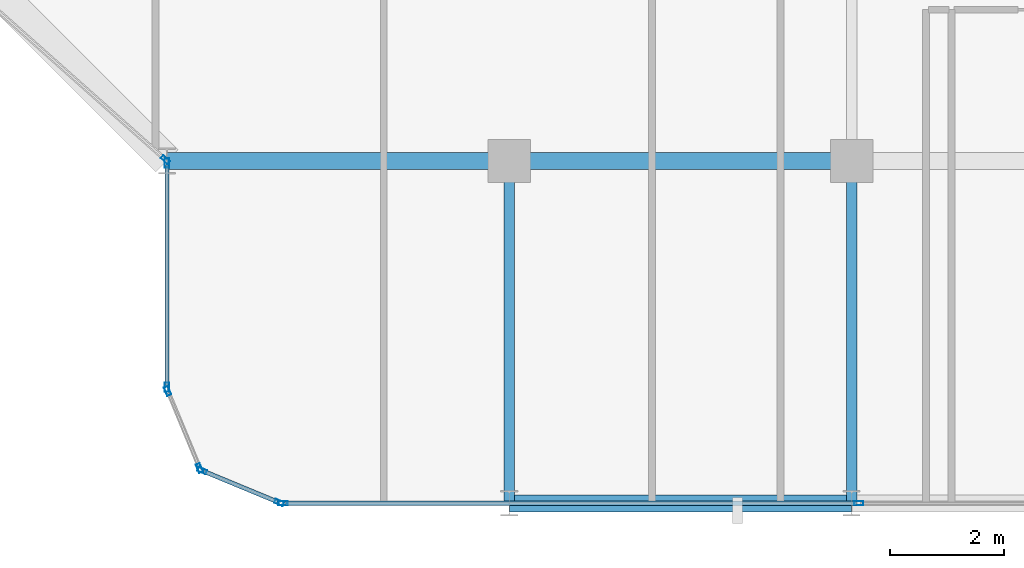
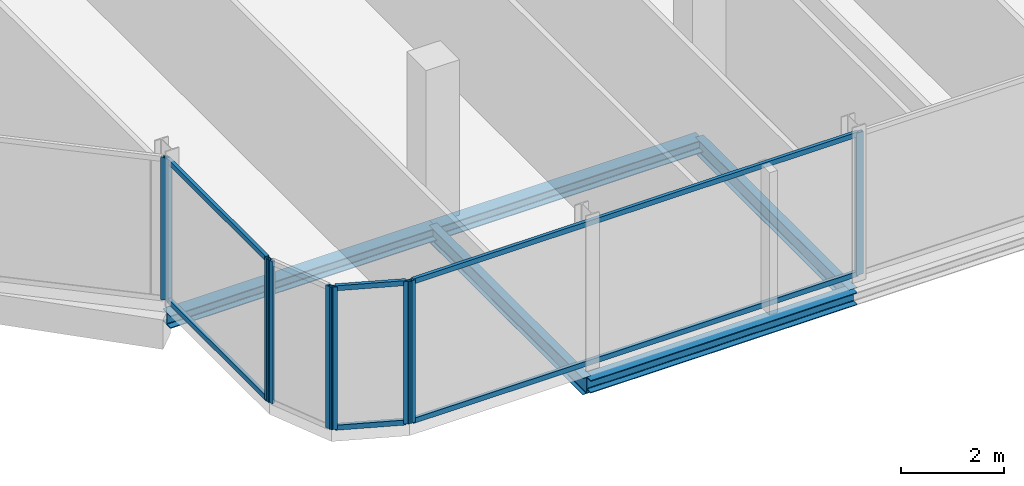
# One storey, part 6 of 29: 15 members, 5 beams, 5 elements without a shape of their own.
"""IFC4 building model written with IfcOpenShell, lengths in metres."""

import ifcopenshell
import ifcopenshell.guid

model = None  # the IFC model being written
_history = None  # IfcOwnerHistory: only IFC2X3 demands one
_inside = {}  # id of a spatial element -> (the spatial element, [elements in it])
_under = {}  # id of a project, library or spatial element -> (it, [spatial elements below it])
_declared = {}  # id of a project -> (the project, [libraries it declares])
_typed = {}  # id of a type object -> (the type object, [elements of that type])
_made_of = {}  # id of a material, layer set ... -> (it, [elements and type objects made of it])


def new_model(schema):
    """Start an empty IFC model of exactly this schema.

    Asked for "IFC4X3", IfcOpenShell would pick the latest addendum, in which some entities
    have other attributes; the version numbers below select the first issue.
    IFC2X3 requires an IfcOwnerHistory on every rooted entity: one is made here for all.
    """
    global model, _history
    if schema == "IFC4X3":
        model = ifcopenshell.file(schema_version=(4, 3, 0, 0))
    else:
        model = ifcopenshell.file(schema=schema)
    _inside.clear()
    _under.clear()
    _declared.clear()
    _typed.clear()
    _made_of.clear()
    _history = None
    if model.schema == "IFC2X3":
        org = make("IfcOrganization", Name="unknown")
        user = make(
            "IfcPersonAndOrganization",
            ThePerson=make("IfcPerson", FamilyName="unknown"),
            TheOrganization=org,
        )
        app = make(
            "IfcApplication",
            ApplicationDeveloper=org,
            Version="unknown",
            ApplicationFullName="unknown",
            ApplicationIdentifier="unknown",
        )
        _history = make(
            "IfcOwnerHistory",
            OwningUser=user,
            OwningApplication=app,
            ChangeAction="ADDED",
            CreationDate=0,
        )
    return model


def make(cls, **values):
    """One entity of the class cls with the attributes given. An attribute that is None is left unset."""
    return model.create_entity(
        cls, **{name: value for name, value in values.items() if value is not None}
    )


def rooted(cls, **values):
    """An entity with a GlobalId (a new one), such as an element, a storey or a relation."""
    return make(cls, GlobalId=ifcopenshell.guid.new(), OwnerHistory=_history, **values)


def si_unit(unit_type, name, prefix=None):
    """IfcSIUnit, for example si_unit("LENGTHUNIT", "METRE", prefix="MILLI")."""
    return make("IfcSIUnit", UnitType=unit_type, Prefix=prefix, Name=name)


def assignment(units):
    """IfcUnitAssignment: the units of a project."""
    return None if units is None else make("IfcUnitAssignment", Units=units)


def point(xyz):
    """IfcCartesianPoint."""
    return None if xyz is None else make("IfcCartesianPoint", Coordinates=xyz)


def direction(xyz):
    """IfcDirection."""
    return None if xyz is None else make("IfcDirection", DirectionRatios=xyz)


def frame(location, z_axis=None, x_axis=None):
    """IfcAxis2Placement3D, a coordinate frame: its origin and axes. An axis left out is left unset."""
    return make(
        "IfcAxis2Placement3D",
        Location=point(location),
        Axis=direction(z_axis),
        RefDirection=direction(x_axis),
    )


def frame_2d(location, x_axis=None):
    """IfcAxis2Placement2D, a coordinate frame in the plane: its origin and x axis."""
    return make(
        "IfcAxis2Placement2D", Location=point(location), RefDirection=direction(x_axis)
    )


def origin():
    """The frame at (0, 0, 0) with its axes left unset."""
    return frame((0.0, 0.0, 0.0))


def origin_2d():
    """The frame at (0, 0) in the plane with its x axis left unset."""
    return frame_2d((0.0, 0.0))


def place(relative_to, where):
    """IfcLocalPlacement: puts the frame where relative to a parent placement (None: the world)."""
    return make(
        "IfcLocalPlacement", PlacementRelTo=relative_to, RelativePlacement=where
    )


def context(
    kind, dimensions, precision=None, world=None, true_north=None, identifier=None
):
    """IfcGeometricRepresentationContext, for example the 3D "Model" context."""
    return make(
        "IfcGeometricRepresentationContext",
        ContextIdentifier=identifier,
        ContextType=kind,
        CoordinateSpaceDimension=dimensions,
        Precision=precision,
        WorldCoordinateSystem=world,
        TrueNorth=true_north,
    )


def subcontext(parent, identifier, kind, view, scale=None):
    """IfcGeometricRepresentationSubContext, for example "Body" below "Model"."""
    return make(
        "IfcGeometricRepresentationSubContext",
        ContextIdentifier=identifier,
        ContextType=kind,
        ParentContext=parent,
        TargetScale=scale,
        TargetView=view,
    )


def project(units=None, contexts=None):
    """IfcProject with its units and contexts."""
    return rooted(
        "IfcProject",
        Name="project",
        RepresentationContexts=contexts,
        UnitsInContext=assignment(units),
    )


def spatial(cls, under=None, at=None, **own):
    """A site, building, storey or space (cls), placed at a placement, below another one or the project."""
    s = rooted(cls, ObjectPlacement=at, **own)
    if under is not None:
        _under.setdefault(under.id(), (under, []))[1].append(s)
    return s


def profile(cls, at=None, kind="AREA", **sizes):
    """A parametric profile (cls). Its sizes go by their IFC names, for example OverallWidth=200.0."""
    return make(cls, ProfileType=kind, Position=at, **sizes)


def hollow_rectangle(**sizes):
    """IfcRectangleHollowProfileDef."""
    return profile("IfcRectangleHollowProfileDef", **sizes)


def i_section(**sizes):
    """IfcIShapeProfileDef."""
    return profile("IfcIShapeProfileDef", **sizes)


def extrude(swept, where, along, depth):
    """IfcExtrudedAreaSolid: the profile swept, set in the frame where, extruded along a direction by depth."""
    return make(
        "IfcExtrudedAreaSolid",
        SweptArea=swept,
        Position=where,
        ExtrudedDirection=direction(along),
        Depth=depth,
    )


def shape(context_of_items, identifier, shape_type, items):
    """IfcShapeRepresentation: the items that make up one representation, for example the "Body"."""
    return make(
        "IfcShapeRepresentation",
        ContextOfItems=context_of_items,
        RepresentationIdentifier=identifier,
        RepresentationType=shape_type,
        Items=items,
    )


def material(Name=None, Category=None):
    """IfcMaterial."""
    return make("IfcMaterial", Name=Name, Category=Category)


def layer(
    of_material, thickness, ventilated=None, Name=None, Category=None, Priority=None
):
    """IfcMaterialLayer: one layer of a wall or slab, of a material (None: an air gap)."""
    return make(
        "IfcMaterialLayer",
        Material=of_material,
        LayerThickness=thickness,
        IsVentilated=ventilated,
        Name=Name,
        Category=Category,
        Priority=Priority,
    )


def layer_set(layers, Name=None):
    """IfcMaterialLayerSet."""
    return make("IfcMaterialLayerSet", MaterialLayers=layers, LayerSetName=Name)


def material_profile(
    of_material, cross_section, Name=None, Category=None, Priority=None
):
    """IfcMaterialProfile: a cross section and its material."""
    return make(
        "IfcMaterialProfile",
        Name=Name,
        Material=of_material,
        Profile=cross_section,
        Priority=Priority,
        Category=Category,
    )


def profile_set(profiles, Name=None, composite=None):
    """IfcMaterialProfileSet."""
    return make(
        "IfcMaterialProfileSet",
        Name=Name,
        MaterialProfiles=profiles,
        CompositeProfile=composite,
    )


def made_of(thing, what):
    """Note that an element or type object is made of a material, layer set ...; save() writes the relation."""
    if what is not None:
        _made_of.setdefault(what.id(), (what, []))[1].append(thing)
    return thing


def type_object(cls, material=None, **own):
    """A type object (cls), such as IfcWallType, which elements share."""
    return made_of(rooted(cls, **own), material)


def element(
    cls,
    number,
    at=None,
    inside=None,
    cuts=None,
    type_object=None,
    material=None,
    context=None,
    identifier="Body",
    shape_type=None,
    held_by="IfcProductDefinitionShape",
    body=None,
    shapes=None,
    **own,
):
    """One element of the class cls, such as IfcWall. Its Tag is "e" and its number.

    at: its placement. inside: the storey or other place that contains it. cuts: it is an
    opening in that element (IfcRelVoidsElement). A single representation is given by context,
    identifier, shape_type and body (its items); several are given by shapes. held_by: the class
    of the entity that holds the representations. save() writes the other relations.
    """
    e = rooted(cls, Tag="e%d" % number, ObjectPlacement=at, **own)
    if body is not None:
        shapes = [shape(context, identifier, shape_type, body)]
    if shapes is not None:
        e.Representation = make(held_by, Representations=shapes)
    if inside is not None:
        _inside.setdefault(inside.id(), (inside, []))[1].append(e)
    if cuts is not None:
        rooted(
            "IfcRelVoidsElement", RelatingBuildingElement=cuts, RelatedOpeningElement=e
        )
    if type_object is not None:
        _typed.setdefault(type_object.id(), (type_object, []))[1].append(e)
    return made_of(e, material)


def aggregate(whole, parts):
    """IfcRelAggregates: a whole, such as a stair, and the parts it consists of."""
    return rooted("IfcRelAggregates", RelatingObject=whole, RelatedObjects=parts)


def save(model, path):
    """Write the relations noted so far, then the file.

    IfcRelAggregates (storeys below a building ...), IfcRelContainedInSpatialStructure (elements
    in a storey), IfcRelDefinesByType, IfcRelAssociatesMaterial and IfcRelDeclares: one each for
    every whole, place, type object, material and project.
    """
    for whole, parts in _under.values():
        aggregate(whole, parts)
    for where, things in _inside.values():
        rooted(
            "IfcRelContainedInSpatialStructure",
            RelatedElements=things,
            RelatingStructure=where,
        )
    for kind, things in _typed.values():
        rooted("IfcRelDefinesByType", RelatedObjects=things, RelatingType=kind)
    for what, things in _made_of.values():
        rooted("IfcRelAssociatesMaterial", RelatedObjects=things, RelatingMaterial=what)
    for by, libraries in _declared.values():
        rooted("IfcRelDeclares", RelatingContext=by, RelatedDefinitions=libraries)
    model.write(path)


model = new_model("IFC4")

# Units and contexts
model_context = context("Model", 3, precision=1e-05, world=origin(), true_north=direction((0.0, 1.0)))
body_context = subcontext(model_context, "Body", "Model", "MODEL_VIEW")
ifc_project = project(units=[si_unit("LENGTHUNIT", "METRE"), si_unit("AREAUNIT", "SQUARE_METRE"), si_unit("VOLUMEUNIT", "CUBIC_METRE"), si_unit("PLANEANGLEUNIT", "RADIAN"), si_unit("MASSUNIT", "GRAM", prefix="KILO")], contexts=[model_context])

# Site, building, storey
site_placement = place(None, origin())
site = spatial("IfcSite", under=ifc_project, at=site_placement, CompositionType="ELEMENT")
building_placement = place(site_placement, origin())
building = spatial("IfcBuilding", under=site, at=building_placement, Name="Keshet Zoharim Tower", CompositionType="ELEMENT")
storey_placement = place(building_placement, frame((0.0, 0.0, 210.60009765625)))
storey = spatial("IfcBuildingStorey", under=building, at=storey_placement, Name="L52", CompositionType="ELEMENT", Elevation=210.60009765625)

# Beams
ifc_material_1 = material(Name="Steel S355", Category="steel")
ifc_material_profile_1 = material_profile(ifc_material_1, i_section(OverallWidth=0.300048828125, OverallDepth=0.300048828125, WebThickness=0.010986328125, FlangeThickness=0.01904296875, FilletRadius=0.027099609375, at=origin_2d()), Name="HEB300")
ifc_profile_set_1 = profile_set([ifc_material_profile_1], Name="Steel S355")
beam_type_1 = type_object("IfcBeamType", Name="BM-PRI-HB300", PredefinedType="BEAM", material=ifc_profile_set_1)
for number, where, z_axis, x_axis, name in (
    (1, (27.0, 0.699951171875, -0.460205078125), (1.0, 0.0, 0.0), (0.0, 1.0, 0.0), "L52 Primary Girder X-001"),
    (2, (21.0, 6.699951171875, -0.460205078125), (1.0, 0.0, 0.0), (0.0, 1.0, 0.0), "L52 Primary Girder X-005"),
    (3, (27.0, 6.699951171875, -0.460205078125), (1.0, 0.0, 0.0), (0.0, 1.0, 0.0), "L52 Primary Girder X-006"),
):
    element("IfcBeam", number, at=place(storey_placement, frame(where, z_axis=z_axis, x_axis=x_axis)), inside=storey, type_object=beam_type_1, Name=name, PredefinedType="BEAM", context=body_context, shape_type="SweptSolid", body=[
        extrude(i_section(OverallWidth=0.300048828125, OverallDepth=0.300048828125, WebThickness=0.010986328125, FlangeThickness=0.01904296875, FilletRadius=0.027099609375, at=origin_2d()), origin(), (0.0, 0.0, 1.0), 6.0),
    ])
ifc_material_profile_2 = material_profile(ifc_material_1, i_section(OverallWidth=0.179931640625, OverallDepth=0.39990234375, WebThickness=0.008544921875, FlangeThickness=0.013427734375, FilletRadius=0.02099609375, at=origin_2d()), Name="IPE400")
ifc_profile_set_2 = profile_set([ifc_material_profile_2], Name="Steel S355")
beam_type_2 = type_object("IfcBeamType", Name="BM-PRI-IP400", PredefinedType="BEAM", material=ifc_profile_set_2)
for number, where, z_axis, x_axis, name in (
    (4, (27.0, 0.699951171875, -0.510009765625), (0.0, 1.0, 0.0), (-1.0, 0.0, 0.0), "L52 Primary Girder Y-004"),
    (5, (33.0, 0.699951171875, -0.510009765625), (0.0, 1.0, 0.0), (-1.0, 0.0, 0.0), "L52 Primary Girder Y-005"),
):
    element("IfcBeam", number, at=place(storey_placement, frame(where, z_axis=z_axis, x_axis=x_axis)), inside=storey, type_object=beam_type_2, Name=name, PredefinedType="BEAM", context=body_context, shape_type="SweptSolid", body=[
        extrude(i_section(OverallWidth=0.179931640625, OverallDepth=0.39990234375, WebThickness=0.008544921875, FlangeThickness=0.013427734375, FilletRadius=0.02099609375, at=origin_2d()), origin(), (0.0, 0.0, 1.0), 6.0),
    ])

# Curtain wall, members
ifc_material_2 = material(Name="Aluminium 6063-T6", Category="aluminium")
ifc_layer = layer(ifc_material_2, 0.139892578125)
ifc_layer_set = layer_set([ifc_layer], Name="Aluminium 6063-T6")
curtain_wall_type = type_object("IfcCurtainWallType", Name="CW-SYS-05", PredefinedType="NOTDEFINED", material=ifc_layer_set)
curtain_wall_1_placement = place(storey_placement, origin())
curtain_wall_1 = element("IfcCurtainWall", 6, at=curtain_wall_1_placement, inside=storey, type_object=curtain_wall_type, Name="L52 Unitised Curtain Wall 06 Part 3", PredefinedType="NOTDEFINED")
ifc_material_profile_3 = material_profile(ifc_material_2, hollow_rectangle(XDim=0.074951171875, YDim=0.159912109375, WallThickness=0.00390625, at=origin_2d()), Name="MUL-75x160")
ifc_profile_set_3 = profile_set([ifc_material_profile_3], Name="Aluminium 6063-T6")
member_type_1 = type_object("IfcMemberType", Name="CWM-M15", PredefinedType="MULLION", material=ifc_profile_set_3)
member_1_placement = place(storey_placement, frame((33.1259765625, 0.699951171875, 0.0), z_axis=(0.0, 0.0, 1.0), x_axis=(0.0, -1.0, 0.0)))
member_1 = element("IfcMember", 7, at=member_1_placement, type_object=member_type_1, Name="CW-05 mullion 2", PredefinedType="MULLION", context=body_context, shape_type="SweptSolid", body=[
    extrude(hollow_rectangle(XDim=0.074951171875, YDim=0.159912109375, WallThickness=0.00390625, at=origin_2d()), origin(), (0.0, 0.0, 1.0), 3.389892578125),
])
member_2_placement = place(storey_placement, frame((23.034912109375, 0.699951171875, 0.0), z_axis=(0.0, 0.0, 1.0), x_axis=(0.0, -1.0, 0.0)))
member_2 = element("IfcMember", 8, at=member_2_placement, type_object=member_type_1, Name="CW-05 mullion 3", PredefinedType="MULLION", context=body_context, shape_type="SweptSolid", body=[
    extrude(hollow_rectangle(XDim=0.074951171875, YDim=0.159912109375, WallThickness=0.00390625, at=origin_2d()), origin(), (0.0, 0.0, 1.0), 3.389892578125),
])

curtain_wall_2_placement = place(storey_placement, origin())
curtain_wall_2 = element("IfcCurtainWall", 9, at=curtain_wall_2_placement, inside=storey, type_object=curtain_wall_type, Name="L52 Unitised Curtain Wall 07", PredefinedType="NOTDEFINED")
member_3_placement = place(storey_placement, frame((22.9677734375, 0.71337890625, 0.0), z_axis=(0.0, 0.0, 1.0), x_axis=(-0.382851849847, -0.92380975372, 0.0)))
member_3 = element("IfcMember", 10, at=member_3_placement, type_object=member_type_1, Name="CW-05 mullion 1", PredefinedType="MULLION", context=body_context, shape_type="SweptSolid", body=[
    extrude(hollow_rectangle(XDim=0.074951171875, YDim=0.159912109375, WallThickness=0.00390625, at=origin_2d()), origin(), (0.0, 0.0, 1.0), 3.389892578125),
])
member_4_placement = place(storey_placement, frame((21.618408203125, 1.272705078125, 0.0), z_axis=(0.0, 0.0, 1.0), x_axis=(-0.382851849847, -0.92380975372, 0.0)))
member_4 = element("IfcMember", 11, at=member_4_placement, type_object=member_type_1, Name="CW-05 mullion 2", PredefinedType="MULLION", context=body_context, shape_type="SweptSolid", body=[
    extrude(hollow_rectangle(XDim=0.074951171875, YDim=0.159912109375, WallThickness=0.00390625, at=origin_2d()), origin(), (0.0, 0.0, 1.0), 3.389892578125),
])

curtain_wall_3_placement = place(storey_placement, origin())
curtain_wall_3 = element("IfcCurtainWall", 12, at=curtain_wall_3_placement, inside=storey, type_object=curtain_wall_type, Name="L52 Unitised Curtain Wall 08", PredefinedType="NOTDEFINED")
member_5_placement = place(storey_placement, frame((21.572509765625, 1.318359375, 0.0), z_axis=(0.0, 0.0, 1.0), x_axis=(-0.92380975372, -0.382851849847, 0.0)))
member_5 = element("IfcMember", 13, at=member_5_placement, type_object=member_type_1, Name="CW-05 mullion 1", PredefinedType="MULLION", context=body_context, shape_type="SweptSolid", body=[
    extrude(hollow_rectangle(XDim=0.074951171875, YDim=0.159912109375, WallThickness=0.00390625, at=origin_2d()), origin(), (0.0, 0.0, 1.0), 3.389892578125),
])
member_6_placement = place(storey_placement, frame((21.013427734375, 2.667724609375, 0.0), z_axis=(0.0, 0.0, 1.0), x_axis=(-0.92380975372, -0.382851849847, 0.0)))
member_6 = element("IfcMember", 14, at=member_6_placement, type_object=member_type_1, Name="CW-05 mullion 2", PredefinedType="MULLION", context=body_context, shape_type="SweptSolid", body=[
    extrude(hollow_rectangle(XDim=0.074951171875, YDim=0.159912109375, WallThickness=0.00390625, at=origin_2d()), origin(), (0.0, 0.0, 1.0), 3.389892578125),
])
aggregate(curtain_wall_3, [member_5, member_6])

curtain_wall_4_placement = place(storey_placement, origin())
curtain_wall_4 = element("IfcCurtainWall", 15, at=curtain_wall_4_placement, inside=storey, type_object=curtain_wall_type, Name="L52 Unitised Curtain Wall 09", PredefinedType="NOTDEFINED")
member_7_placement = place(storey_placement, frame((21.0, 2.735107421875, 0.0), z_axis=(0.0, 0.0, 1.0), x_axis=(-1.0, 0.0, 0.0)))
member_7 = element("IfcMember", 16, at=member_7_placement, type_object=member_type_1, Name="CW-05 mullion 1", PredefinedType="MULLION", context=body_context, shape_type="SweptSolid", body=[
    extrude(hollow_rectangle(XDim=0.074951171875, YDim=0.159912109375, WallThickness=0.00390625, at=origin_2d()), origin(), (0.0, 0.0, 1.0), 3.389892578125),
])
member_8_placement = place(storey_placement, frame((21.0, 6.6650390625, 0.0), z_axis=(0.0, 0.0, 1.0), x_axis=(-1.0, 0.0, 0.0)))
member_8 = element("IfcMember", 17, at=member_8_placement, type_object=member_type_1, Name="CW-05 mullion 2", PredefinedType="MULLION", context=body_context, shape_type="SweptSolid", body=[
    extrude(hollow_rectangle(XDim=0.074951171875, YDim=0.159912109375, WallThickness=0.00390625, at=origin_2d()), origin(), (0.0, 0.0, 1.0), 3.389892578125),
])

# Curtain wall, member
curtain_wall_5_placement = place(storey_placement, origin())
curtain_wall_5 = element("IfcCurtainWall", 18, at=curtain_wall_5_placement, inside=storey, type_object=curtain_wall_type, Name="L52 Unitised Curtain Wall 10", PredefinedType="NOTDEFINED")
member_9_placement = place(storey_placement, frame((20.973876953125, 6.72314453125, 0.0), z_axis=(0.0, 0.0, 1.0), x_axis=(-0.664367613066, -0.74740596379, 0.0)))
member_9 = element("IfcMember", 19, at=member_9_placement, type_object=member_type_1, Name="CW-05 mullion 1", PredefinedType="MULLION", context=body_context, shape_type="SweptSolid", body=[
    extrude(hollow_rectangle(XDim=0.074951171875, YDim=0.159912109375, WallThickness=0.00390625, at=origin_2d()), origin(), (0.0, 0.0, 1.0), 3.389892578125),
])
aggregate(curtain_wall_5, [member_9])

# Member
ifc_material_profile_4 = material_profile(ifc_material_2, hollow_rectangle(XDim=0.074951171875, YDim=0.1201171875, WallThickness=0.00390625, at=origin_2d()), Name="TRN-75x120")
ifc_profile_set_4 = profile_set([ifc_material_profile_4], Name="Aluminium 6063-T6")
member_type_2 = type_object("IfcMemberType", Name="CWT-T12", PredefinedType="USERDEFINED", material=ifc_profile_set_4)
member_10_placement = place(storey_placement, frame((33.091064453125, 0.699951171875, 0.034912109375), z_axis=(-1.0, 0.0, 0.0), x_axis=(0.0, -1.0, 0.0)))
member_10 = element("IfcMember", 20, at=member_10_placement, type_object=member_type_2, Name="CW-05 transom 2.1", ObjectType="TRANSOM", PredefinedType="USERDEFINED", context=body_context, shape_type="SweptSolid", body=[
    extrude(hollow_rectangle(XDim=0.074951171875, YDim=0.1201171875, WallThickness=0.00390625, at=origin_2d()), origin(), (0.0, 0.0, 1.0), 10.02099609375),
])

member_11_placement = place(storey_placement, frame((33.091064453125, 0.699951171875, 3.35498046875), z_axis=(-1.0, 0.0, 0.0), x_axis=(0.0, -1.0, 0.0)))
member_11 = element("IfcMember", 21, at=member_11_placement, type_object=member_type_2, Name="CW-05 transom 2.2", ObjectType="TRANSOM", PredefinedType="USERDEFINED", context=body_context, shape_type="SweptSolid", body=[
    extrude(hollow_rectangle(XDim=0.074951171875, YDim=0.1201171875, WallThickness=0.00390625, at=origin_2d()), origin(), (0.0, 0.0, 1.0), 10.02099609375),
])

aggregate(curtain_wall_1, [member_1, member_2, member_10, member_11])

member_12_placement = place(storey_placement, frame((22.935302734375, 0.726806640625, 0.034912109375), z_axis=(-0.92379209995, 0.382894445076, 0.0), x_axis=(-0.382894445076, -0.92379209995, 0.0)))
member_12 = element("IfcMember", 22, at=member_12_placement, type_object=member_type_2, Name="CW-05 transom 1.1", ObjectType="TRANSOM", PredefinedType="USERDEFINED", context=body_context, shape_type="SweptSolid", body=[
    extrude(hollow_rectangle(XDim=0.074951171875, YDim=0.1201171875, WallThickness=0.00390625, at=origin_2d()), origin(), (0.0, 0.0, 1.0), 1.390625),
])

member_13_placement = place(storey_placement, frame((22.935302734375, 0.726806640625, 3.35498046875), z_axis=(-0.92379209995, 0.382894445076, 0.0), x_axis=(-0.382894445076, -0.92379209995, 0.0)))
member_13 = element("IfcMember", 23, at=member_13_placement, type_object=member_type_2, Name="CW-05 transom 1.2", ObjectType="TRANSOM", PredefinedType="USERDEFINED", context=body_context, shape_type="SweptSolid", body=[
    extrude(hollow_rectangle(XDim=0.074951171875, YDim=0.1201171875, WallThickness=0.00390625, at=origin_2d()), origin(), (0.0, 0.0, 1.0), 1.390625),
])

aggregate(curtain_wall_2, [member_3, member_4, member_12, member_13])

member_14_placement = place(storey_placement, frame((21.0, 2.77001953125, 0.034912109375), z_axis=(0.0, 1.0, 0.0), x_axis=(-1.0, 0.0, 0.0)))
member_14 = element("IfcMember", 24, at=member_14_placement, type_object=member_type_2, Name="CW-05 transom 1.1", ObjectType="TRANSOM", PredefinedType="USERDEFINED", context=body_context, shape_type="SweptSolid", body=[
    extrude(hollow_rectangle(XDim=0.074951171875, YDim=0.1201171875, WallThickness=0.00390625, at=origin_2d()), origin(), (0.0, 0.0, 1.0), 3.85986328125),
])

member_15_placement = place(storey_placement, frame((21.0, 2.77001953125, 3.35498046875), z_axis=(0.0, 1.0, 0.0), x_axis=(-1.0, 0.0, 0.0)))
member_15 = element("IfcMember", 25, at=member_15_placement, type_object=member_type_2, Name="CW-05 transom 1.2", ObjectType="TRANSOM", PredefinedType="USERDEFINED", context=body_context, shape_type="SweptSolid", body=[
    extrude(hollow_rectangle(XDim=0.074951171875, YDim=0.1201171875, WallThickness=0.00390625, at=origin_2d()), origin(), (0.0, 0.0, 1.0), 3.85986328125),
])

aggregate(curtain_wall_4, [member_7, member_8, member_14, member_15])

save(model, "model.ifc")
